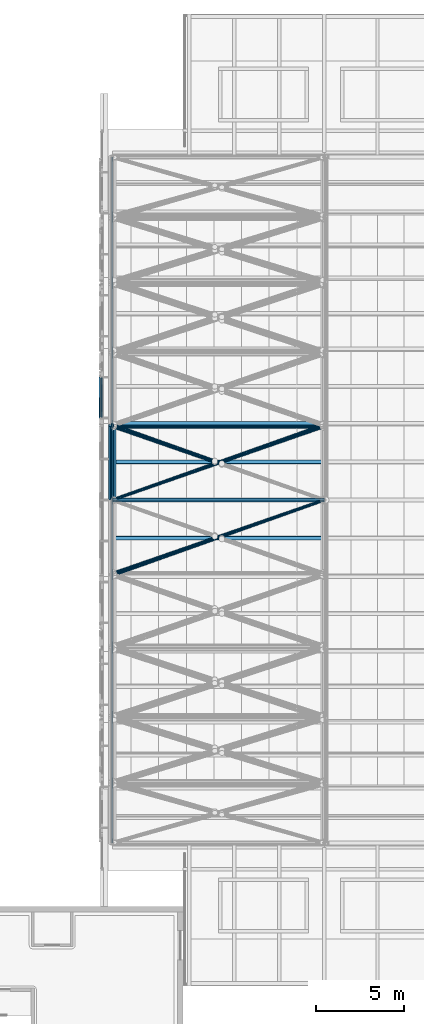
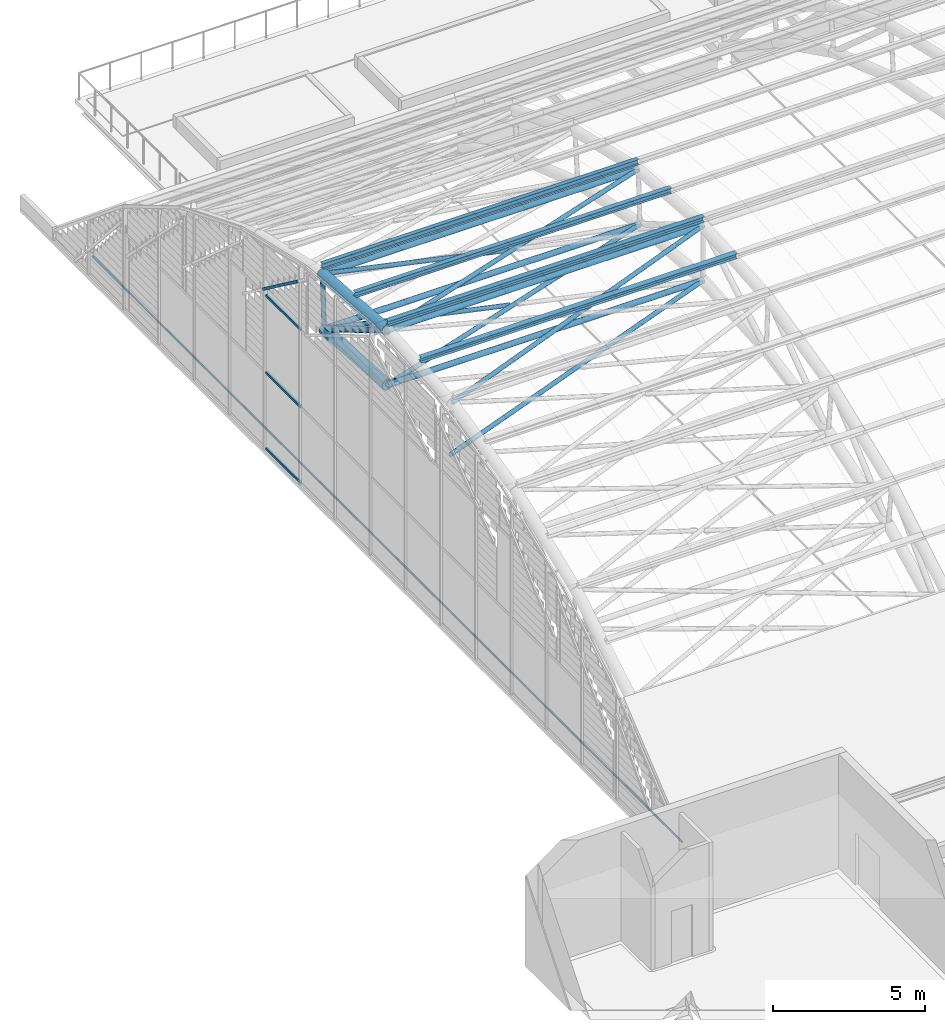
# One storey, part 12 of 110: 23 members, 1 element without a shape of its own.
"""IFC4 building model written with IfcOpenShell, lengths in metres."""

from ifc_helpers import new_model, si_unit, direction, frame, origin, origin_2d, place, context, subcontext, project, spatial, rectangle, circle, hollow_circle, i_section, extrude, material, layer, layer_set, material_profile, profile_set, type_object, element, aggregate, save


model = new_model("IFC4")

# Units and contexts
model_context = context("Model", 3, precision=1e-05, world=origin(), true_north=direction((0.0, 1.0)))
body_context = subcontext(model_context, "Body", "Model", "MODEL_VIEW")
ifc_project = project(units=[si_unit("LENGTHUNIT", "METRE"), si_unit("AREAUNIT", "SQUARE_METRE"), si_unit("VOLUMEUNIT", "CUBIC_METRE"), si_unit("PLANEANGLEUNIT", "RADIAN"), si_unit("MASSUNIT", "GRAM", prefix="KILO")], contexts=[model_context])

# Site, building, storey
site_placement = place(None, origin())
site = spatial("IfcSite", under=ifc_project, at=site_placement, CompositionType="ELEMENT")
building_placement = place(site_placement, origin())
building = spatial("IfcBuilding", under=site, at=building_placement, Name="Windward Yard Aquatics Centre", CompositionType="ELEMENT")
storey_placement = place(building_placement, frame((0.0, 0.0, 22.60009765625)))
storey = spatial("IfcBuildingStorey", under=building, at=storey_placement, Name="L05", CompositionType="ELEMENT", Elevation=22.60009765625)

# Curtain wall, members
ifc_material_1 = material(Name="Glass and aluminium curtain wall", Category="aluminium")
ifc_layer = layer(ifc_material_1, 0.179931640625)
ifc_layer_set = layer_set([ifc_layer], Name="H gable glazing system double glazed 8+16+8")
curtain_wall_type = type_object("IfcCurtainWallType", Name="H gable glazing system double glazed 8+16+8", PredefinedType="NOTDEFINED", material=ifc_layer_set)
curtain_wall_placement = place(storey_placement, origin())
curtain_wall = element("IfcCurtainWall", 1, at=curtain_wall_placement, inside=storey, type_object=curtain_wall_type, Name="Gable glazing W", PredefinedType="NOTDEFINED")
ifc_material_2 = material(Name="Aluminium 6063-T6 anodised", Category="aluminium")
ifc_material_profile_1 = material_profile(ifc_material_2, rectangle(XDim=0.06494140625, YDim=0.10009765625, at=origin_2d()), Name="H CW transom 65x100")
ifc_profile_set_1 = profile_set([ifc_material_profile_1], Name="Aluminium 6063-T6 anodised")
member_type_1 = type_object("IfcMemberType", Name="H CW transom 65x100", PredefinedType="USERDEFINED", material=ifc_profile_set_1)
member_1_placement = place(storey_placement, frame((59.409912109375, 65.6708984375, 0.0498046875), z_axis=(0.0, 1.0, 0.0), x_axis=(-1.0, 0.0, 0.0)))
member_1 = element("IfcMember", 2, at=member_1_placement, type_object=member_type_1, Name="Gable transom 12.1", ObjectType="TRANSOM", PredefinedType="USERDEFINED", context=body_context, shape_type="SweptSolid", body=[
    extrude(rectangle(XDim=0.06494140625, YDim=0.10009765625, at=origin_2d()), origin(), (0.0, 0.0, 1.0), 2.25439453125),
])
member_2_placement = place(storey_placement, frame((59.409912109375, 65.6708984375, 3.099853515625), z_axis=(0.0, 1.0, 0.0), x_axis=(-1.0, 0.0, 0.0)))
member_2 = element("IfcMember", 3, at=member_2_placement, type_object=member_type_1, Name="Gable transom 12.2", ObjectType="TRANSOM", PredefinedType="USERDEFINED", context=body_context, shape_type="SweptSolid", body=[
    extrude(rectangle(XDim=0.06494140625, YDim=0.10009765625, at=origin_2d()), origin(), (0.0, 0.0, 1.0), 2.25439453125),
])
member_3_placement = place(storey_placement, frame((59.409912109375, 65.6708984375, 6.199951171875), z_axis=(0.0, 1.0, 0.0), x_axis=(-1.0, 0.0, 0.0)))
member_3 = element("IfcMember", 4, at=member_3_placement, type_object=member_type_1, Name="Gable transom 12.3", ObjectType="TRANSOM", PredefinedType="USERDEFINED", context=body_context, shape_type="SweptSolid", body=[
    extrude(rectangle(XDim=0.06494140625, YDim=0.10009765625, at=origin_2d()), origin(), (0.0, 0.0, 1.0), 2.25439453125),
])
member_4_placement = place(storey_placement, frame((59.28759765625, 65.6708984375, 8.17041015625), z_axis=(0.0, 0.80243353281, -0.596741506368), x_axis=(-1.0, 0.0, 0.0)))
member_4 = element("IfcMember", 5, at=member_4_placement, type_object=member_type_1, Name="Gable cover strip 7.2", ObjectType="COVER STRIP", PredefinedType="USERDEFINED", context=body_context, shape_type="SweptSolid", body=[
    extrude(rectangle(XDim=0.06494140625, YDim=0.10009765625, at=origin_2d()), origin(), (0.0, 0.0, 1.0), 2.809326171875),
])
aggregate(curtain_wall, [member_1, member_2, member_3, member_4])

# Members
ifc_material_3 = material(Name="Steel ASTM A500 Gr C", Category="steel")
ifc_material_profile_2 = material_profile(ifc_material_3, hollow_circle(Radius=0.084228515625, WallThickness=0.010986328125, at=origin_2d()), Name="HSS168.3X11")
ifc_profile_set_2 = profile_set([ifc_material_profile_2], Name="Steel ASTM A500 Gr C")
member_type_2 = type_object("IfcMemberType", Name="H arch post HSS168.3X11", PredefinedType="POST", material=ifc_profile_set_2)
member_5_placement = place(storey_placement, frame((60.0, 65.16064453125, 6.323486328125), z_axis=(0.0, 0.050215263417, 0.998738417865), x_axis=(-1.0, 0.0, 0.0)))
element("IfcMember", 6, at=member_5_placement, inside=storey, type_object=member_type_2, Name="H.AT.1.WP07", PredefinedType="POST", context=body_context, shape_type="SweptSolid", body=[
    extrude(hollow_circle(Radius=0.084228515625, WallThickness=0.010986328125, at=origin_2d()), origin(), (0.0, 0.0, 1.0), 2.14892578125),
])
ifc_material_profile_3 = material_profile(ifc_material_3, hollow_circle(Radius=0.203125, WallThickness=0.015869140625, at=origin_2d()), Name="HSS406.4X15.9")
ifc_profile_set_3 = profile_set([ifc_material_profile_3], Name="Steel ASTM A500 Gr C")
member_type_3 = type_object("IfcMemberType", Name="H arch top chord HSS406.4X15.9", PredefinedType="CHORD", material=ifc_profile_set_3)
member_6_placement = place(storey_placement, frame((60.0, 61.0, 8.796630859375), z_axis=(0.0, 0.997080259355, -0.076360699341), x_axis=(-1.0, 0.0, 0.0)))
element("IfcMember", 7, at=member_6_placement, inside=storey, type_object=member_type_3, Name="H.AT.1.TC06", PredefinedType="CHORD", context=body_context, shape_type="SweptSolid", body=[
    extrude(hollow_circle(Radius=0.203125, WallThickness=0.015869140625, at=origin_2d()), origin(), (0.0, 0.0, 1.0), 4.281005859375),
])
member_7_placement = place(storey_placement, frame((60.0, 61.0, 6.5966796875), z_axis=(0.0, 0.997851241995, -0.065520217098), x_axis=(-1.0, 0.0, 0.0)))
element("IfcMember", 8, at=member_7_placement, inside=storey, type_object=member_type_3, Name="H.AT.1.BC06", PredefinedType="CHORD", context=body_context, shape_type="SweptSolid", body=[
    extrude(hollow_circle(Radius=0.203125, WallThickness=0.015869140625, at=origin_2d()), origin(), (0.0, 0.0, 1.0), 4.169677734375),
])
ifc_material_profile_4 = material_profile(ifc_material_3, hollow_circle(Radius=0.109619140625, WallThickness=0.00830078125, at=origin_2d()), Name="HSS219.1X8.2")
ifc_profile_set_4 = profile_set([ifc_material_profile_4], Name="Steel ASTM A500 Gr C")
member_type_4 = type_object("IfcMemberType", Name="H arch web diagonal HSS219.1X8.2", PredefinedType="BRACE", material=ifc_profile_set_4)
member_8_placement = place(storey_placement, frame((60.0, 61.0, 8.796630859375), z_axis=(0.0, 0.859604150376, -0.51096057055), x_axis=(-1.0, 0.0, 0.0)))
element("IfcMember", 9, at=member_8_placement, inside=storey, type_object=member_type_4, Name="H.AT.1.WD06", PredefinedType="BRACE", context=body_context, shape_type="SweptSolid", body=[
    extrude(hollow_circle(Radius=0.109619140625, WallThickness=0.00830078125, at=origin_2d()), origin(), (0.0, 0.0, 1.0), 4.840087890625),
])
ifc_material_profile_5 = material_profile(ifc_material_3, hollow_circle(Radius=0.084228515625, WallThickness=0.007080078125, at=origin_2d()), Name="HSS168.3X7.1")
ifc_profile_set_5 = profile_set([ifc_material_profile_5], Name="Steel ASTM A500 Gr C")
member_type_5 = type_object("IfcMemberType", Name="H roof brace HSS168.3X7.1", PredefinedType="BRACE", material=ifc_profile_set_5)
for number, where, z_axis, x_axis, name in (
    (10, (60.0, 56.7314453125, 8.4697265625), (0.941857706395, 0.335030927299, 0.025658110939), (-0.335141263687, 0.942167890227, 0.0), "H.RB.1.T05A"),
    (11, (60.0, 61.0, 8.796630859375), (0.941857706395, 0.335030927299, -0.025658110939), (-0.335141263687, 0.942167890227, 0.0), "H.RB.1.T06A"),
):
    element("IfcMember", number, at=place(storey_placement, frame(where, z_axis=z_axis, x_axis=x_axis)), inside=storey, type_object=member_type_5, Name=name, PredefinedType="BRACE", context=body_context, shape_type="SweptSolid", body=[
        extrude(hollow_circle(Radius=0.084228515625, WallThickness=0.007080078125, at=origin_2d()), origin(), (0.0, 0.0, 1.0), 12.74072265625),
    ])
member_9_placement = place(storey_placement, frame((60.0, 65.2685546875, 8.4697265625), z_axis=(0.941856232178, -0.335033946384, 0.025672800363), x_axis=(0.335144410202, 0.942166770965, 0.0)))
element("IfcMember", 12, at=member_9_placement, inside=storey, type_object=member_type_5, Name="H.RB.1.T06B1", PredefinedType="BRACE", context=body_context, shape_type="SweptSolid", body=[
    extrude(hollow_circle(Radius=0.084228515625, WallThickness=0.007080078125, at=origin_2d()), origin(), (0.0, 0.0, 1.0), 6.25732421875),
])
for number, where, z_axis, x_axis, name in (
    (13, (60.0, 56.83935546875, 6.323486328125), (0.944601995666, 0.327512760623, 0.021504916039), (-0.327588517907, 0.94482049244, 0.0), "H.RB.1.B05A"),
    (14, (60.0, 61.0, 6.5966796875), (0.944601995666, 0.327512760623, -0.021504916039), (-0.327588517907, 0.94482049244, 0.0), "H.RB.1.B06A"),
):
    element("IfcMember", number, at=place(storey_placement, frame(where, z_axis=z_axis, x_axis=x_axis)), inside=storey, type_object=member_type_5, Name=name, PredefinedType="BRACE", context=body_context, shape_type="SweptSolid", body=[
        extrude(hollow_circle(Radius=0.084228515625, WallThickness=0.007080078125, at=origin_2d()), origin(), (0.0, 0.0, 1.0), 12.703857421875),
    ])
member_10_placement = place(storey_placement, frame((60.0, 65.16064453125, 6.323486328125), z_axis=(0.94459743351, -0.327524126689, 0.021532186192), x_axis=(0.327600078932, 0.944816483918, 0.0)))
element("IfcMember", 15, at=member_10_placement, inside=storey, type_object=member_type_5, Name="H.RB.1.B06B1", PredefinedType="BRACE", context=body_context, shape_type="SweptSolid", body=[
    extrude(hollow_circle(Radius=0.084228515625, WallThickness=0.007080078125, at=origin_2d()), origin(), (0.0, 0.0, 1.0), 6.236083984375),
])
ifc_material_4 = material(Name="Steel ASTM A992 Gr 50", Category="steel")
ifc_material_profile_6 = material_profile(ifc_material_4, i_section(OverallWidth=0.202880859375, OverallDepth=0.202880859375, WebThickness=0.00732421875, FlangeThickness=0.010986328125, at=origin_2d()), Name="W200X46.1")
ifc_profile_set_6 = profile_set([ifc_material_profile_6], Name="Steel ASTM A992 Gr 50")
member_type_6 = type_object("IfcMemberType", Name="H roof purlin W200X46.1", PredefinedType="PURLIN", material=ifc_profile_set_6)
for number, where, z_axis, x_axis, name in (
    (16, (60.0, 58.842529296875, 8.93701171875), (1.0, 0.0, 0.0), (0.0, 0.997080793073, 0.076353729998), "H.PU.1.10"),
    (17, (60.0, 61.0, 9.101318359375), (1.0, 0.0, 0.0), (0.0, 1.0, 0.0), "H.PU.1.11"),
    (18, (60.0, 63.157470703125, 8.93701171875), (1.0, 0.0, 0.0), (0.0, 0.997080793073, -0.076353729998), "H.PU.1.12"),
    (19, (60.0, 65.31494140625, 8.77099609375), (1.0, 0.0, 0.0), (0.0, 0.988340215831, -0.152261675321), "H.PU.1.13"),
):
    element("IfcMember", number, at=place(storey_placement, frame(where, z_axis=z_axis, x_axis=x_axis)), inside=storey, type_object=member_type_6, Name=name, PredefinedType="PURLIN", context=body_context, shape_type="SweptSolid", body=[
        extrude(i_section(OverallWidth=0.202880859375, OverallDepth=0.202880859375, WebThickness=0.00732421875, FlangeThickness=0.010986328125, at=origin_2d()), origin(), (0.0, 0.0, 1.0), 12.0),
    ])
ifc_material_profile_7 = material_profile(ifc_material_3, hollow_circle(Radius=0.109619140625, WallThickness=0.00830078125, at=origin_2d()), Name="HSS219.1X8.2")
ifc_profile_set_7 = profile_set([ifc_material_profile_7], Name="Steel ASTM A500 Gr C")
member_type_7 = type_object("IfcMemberType", Name="H roof strut HSS219.1X8.2", PredefinedType="STRUT", material=ifc_profile_set_7)
for number, where, z_axis, x_axis, name in (
    (20, (60.0, 61.0, 8.796630859375), (1.0, 0.0, 0.0), (0.0, 1.0, 0.0), "H.RS.1.T06"),
    (21, (60.0, 65.2685546875, 8.4697265625), (1.0, 0.0, 0.0), (0.0, 1.0, 0.0), "H.RS.1.T07"),
    (22, (60.0, 61.0, 6.5966796875), (1.0, 0.0, 0.0), (0.0, 1.0, 0.0), "H.RS.1.B06"),
    (23, (60.0, 65.16064453125, 6.323486328125), (1.0, 0.0, 0.0), (0.0, 1.0, 0.0), "H.RS.1.B07"),
):
    element("IfcMember", number, at=place(storey_placement, frame(where, z_axis=z_axis, x_axis=x_axis)), inside=storey, type_object=member_type_7, Name=name, PredefinedType="STRUT", context=body_context, shape_type="SweptSolid", body=[
        extrude(hollow_circle(Radius=0.109619140625, WallThickness=0.00830078125, at=origin_2d()), origin(), (0.0, 0.0, 1.0), 12.0),
    ])
ifc_material_5 = material(Name="Steel ASTM A36", Category="steel")
ifc_material_profile_8 = material_profile(ifc_material_5, circle(Radius=0.0380859375, at=origin_2d()), Name="ROD76")
ifc_profile_set_8 = profile_set([ifc_material_profile_8], Name="Steel ASTM A36")
member_type_8 = type_object("IfcMemberType", Name="H tie rod ROD76", PredefinedType="STRUT", material=ifc_profile_set_8)
member_11_placement = place(storey_placement, frame((60.0, 41.60009765625, 0.0), z_axis=(0.0, 1.0, 0.0), x_axis=(-1.0, 0.0, 0.0)))
element("IfcMember", 24, at=member_11_placement, inside=storey, type_object=member_type_8, Name="H.AT.1.TR", PredefinedType="STRUT", context=body_context, shape_type="SweptSolid", body=[
    extrude(circle(Radius=0.0380859375, at=origin_2d()), origin(), (0.0, 0.0, 1.0), 38.7998046875),
])

save(model, "model.ifc")
